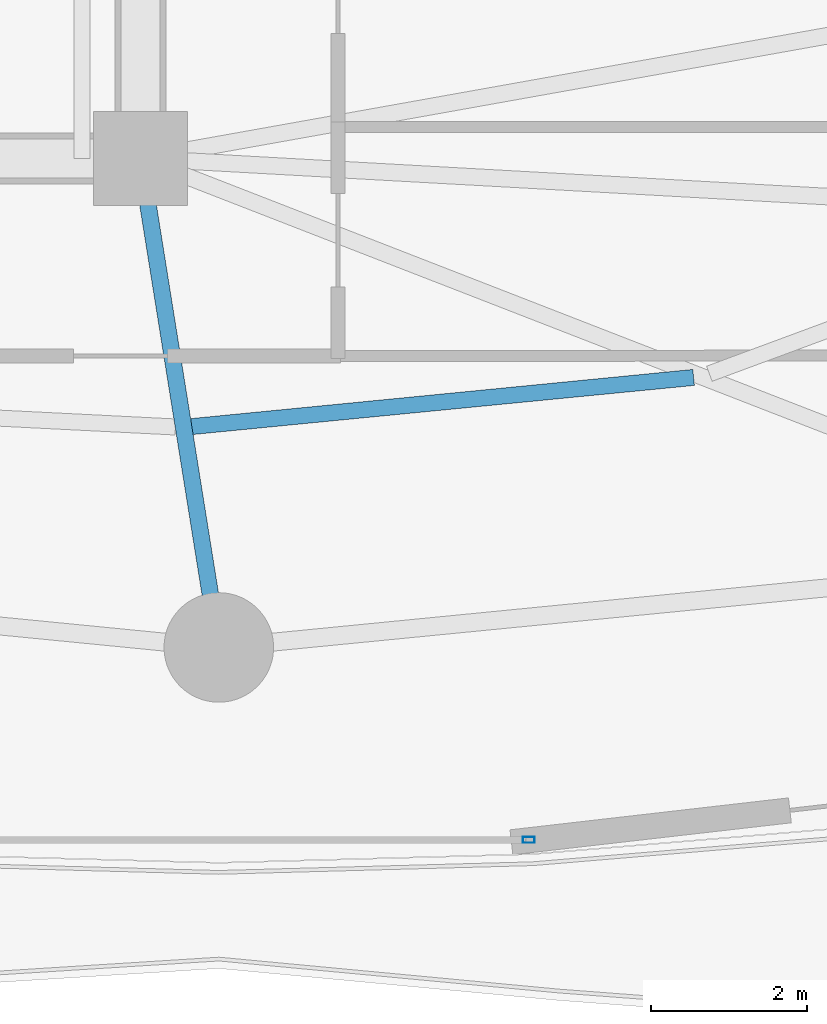
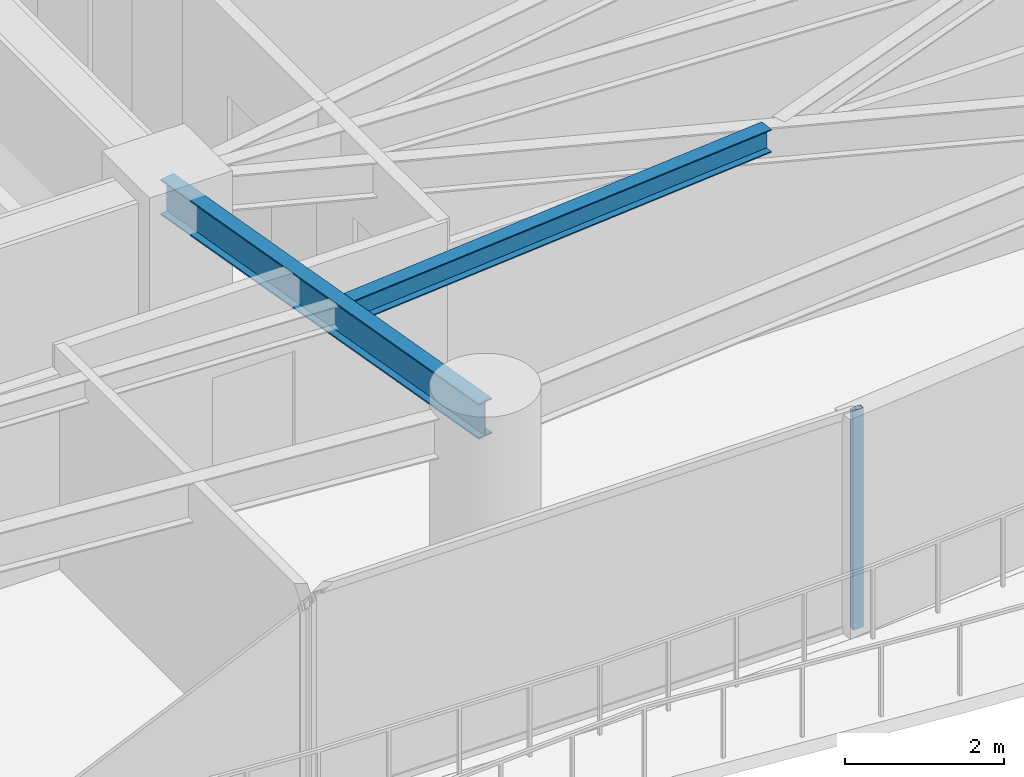
# One storey, part 10 of 33: 2 beams, 1 member, 1 element without a shape of its own.
"""IFC4 building model written with IfcOpenShell, lengths in metres."""

from ifc_helpers import new_model, si_unit, direction, frame, origin, origin_2d, place, context, subcontext, project, spatial, hollow_rectangle, i_section, extrude, material, layer, layer_set, material_profile, profile_set, type_object, element, aggregate, save


model = new_model("IFC4")

# Units and contexts
model_context = context("Model", 3, precision=1e-05, world=origin(), true_north=direction((0.0, 1.0)))
body_context = subcontext(model_context, "Body", "Model", "MODEL_VIEW")
ifc_project = project(units=[si_unit("LENGTHUNIT", "METRE"), si_unit("AREAUNIT", "SQUARE_METRE"), si_unit("VOLUMEUNIT", "CUBIC_METRE"), si_unit("PLANEANGLEUNIT", "RADIAN"), si_unit("MASSUNIT", "GRAM", prefix="KILO")], contexts=[model_context])

# Site, building, storey
site_placement = place(None, origin())
site = spatial("IfcSite", under=ifc_project, at=site_placement, CompositionType="ELEMENT")
building_placement = place(site_placement, origin())
building = spatial("IfcBuilding", under=site, at=building_placement, Name="Kazevale Care Tower and Concert Hall", CompositionType="ELEMENT")
storey_placement = place(building_placement, frame((0.0, 0.0, 27.60009765625)))
storey = spatial("IfcBuildingStorey", under=building, at=storey_placement, Name="L06", CompositionType="ELEMENT", Elevation=27.60009765625)

# Curtain wall, member
ifc_material_1 = material(Name="Aluminium 6063-T6 and Low-E Glass", Category="aluminium")
ifc_layer = layer(ifc_material_1, 0.179931640625)
ifc_layer_set = layer_set([ifc_layer], Name="Aluminium 6063-T6 and Low-E Glass")
curtain_wall_type = type_object("IfcCurtainWallType", Name="Sheltered Concave Balcony Curtain Wall CW-5", PredefinedType="NOTDEFINED", material=ifc_layer_set)
curtain_wall_placement = place(storey_placement, origin())
curtain_wall = element("IfcCurtainWall", 1, at=curtain_wall_placement, inside=storey, type_object=curtain_wall_type, Name="cw:L06:f06", PredefinedType="NOTDEFINED")
ifc_material_2 = material(Name="Aluminium 6063-T6", Category="aluminium")
ifc_material_profile_1 = material_profile(ifc_material_2, hollow_rectangle(XDim=0.074951171875, YDim=0.14990234375, WallThickness=0.00390625, at=origin_2d()), Name="ALU75x150x4")
ifc_profile_set_1 = profile_set([ifc_material_profile_1], Name="Aluminium 6063-T6")
member_type = type_object("IfcMemberType", Name="CW-5 Mullion ALU75x150x4", PredefinedType="MULLION", material=ifc_profile_set_1)
member_placement = place(storey_placement, frame((48.96044921875, 14.889892578125, 0.0), z_axis=(0.0, 0.0, 1.0), x_axis=(0.0, -1.0, 0.0)))
member = element("IfcMember", 2, at=member_placement, type_object=member_type, Name="CW-5 mullion 1", PredefinedType="MULLION", context=body_context, shape_type="SweptSolid", body=[
    extrude(hollow_rectangle(XDim=0.074951171875, YDim=0.14990234375, WallThickness=0.00390625, at=origin_2d()), origin(), (0.0, 0.0, 1.0), 3.35986328125),
])
aggregate(curtain_wall, [member])

# Beams
ifc_material_3 = material(Name="Steel ASTM A572 Gr 50", Category="steel")
ifc_material_profile_2 = material_profile(ifc_material_3, i_section(OverallWidth=0.2119140625, OverallDepth=0.5439453125, WebThickness=0.01318359375, FlangeThickness=0.021240234375, at=origin_2d()), Name="W530x123")
ifc_profile_set_2 = profile_set([ifc_material_profile_2], Name="Steel ASTM A572 Gr 50")
beam_type_1 = type_object("IfcBeamType", Name="Radial Floor Girder W530x123", PredefinedType="BEAM", material=ifc_profile_set_2)
beam_1_placement = place(storey_placement, frame((44.0, 23.60009765625, 3.087890625), z_axis=(0.157990501107, -0.987440631917, 0.0), x_axis=(0.987440631917, 0.157990501107, 0.0)))
element("IfcBeam", 3, at=beam_1_placement, inside=storey, type_object=beam_type_1, Name="beam:L06:rad:13", PredefinedType="BEAM", context=body_context, shape_type="SweptSolid", body=[
    extrude(i_section(OverallWidth=0.2119140625, OverallDepth=0.5439453125, WebThickness=0.01318359375, FlangeThickness=0.021240234375, at=origin_2d()), origin(), (0.0, 0.0, 1.0), 6.32958984375),
])
ifc_material_profile_3 = material_profile(ifc_material_3, i_section(OverallWidth=0.205078125, OverallDepth=0.35400390625, WebThickness=0.009521484375, FlangeThickness=0.016845703125, at=origin_2d()), Name="W360x79")
ifc_profile_set_3 = profile_set([ifc_material_profile_3], Name="Steel ASTM A572 Gr 50")
beam_type_2 = type_object("IfcBeamType", Name="Secondary Floor Joist W360x79", PredefinedType="JOIST", material=ifc_profile_set_3)
beam_2_placement = place(storey_placement, frame((44.654052734375, 20.173095703125, 3.182861328125), z_axis=(0.995242075791, 0.097433108212, 0.0), x_axis=(-0.097433108212, 0.995242075791, 0.0)))
element("IfcBeam", 4, at=beam_2_placement, inside=storey, type_object=beam_type_2, Name="beam:L06:joist:13", PredefinedType="JOIST", context=body_context, shape_type="SweptSolid", body=[
    extrude(i_section(OverallWidth=0.205078125, OverallDepth=0.35400390625, WebThickness=0.009521484375, FlangeThickness=0.016845703125, at=origin_2d()), origin(), (0.0, 0.0, 1.0), 6.44482421875),
])

save(model, "model.ifc")
